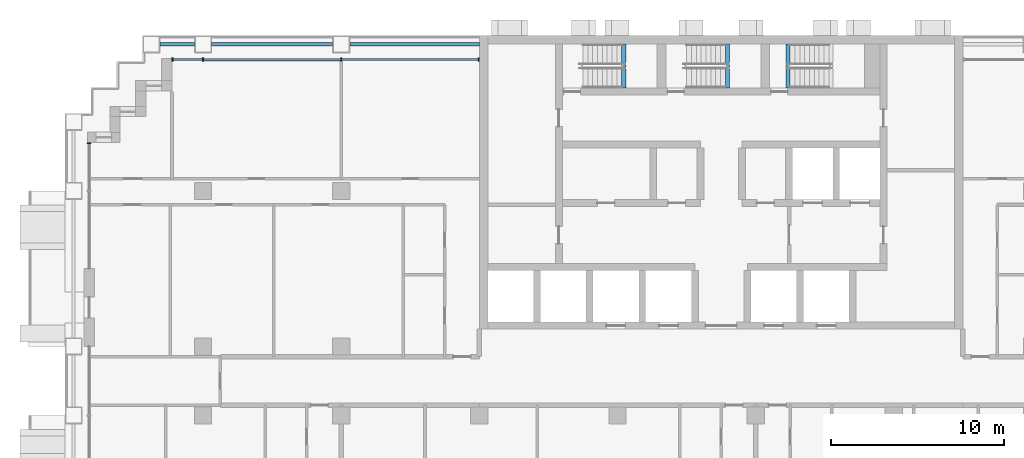
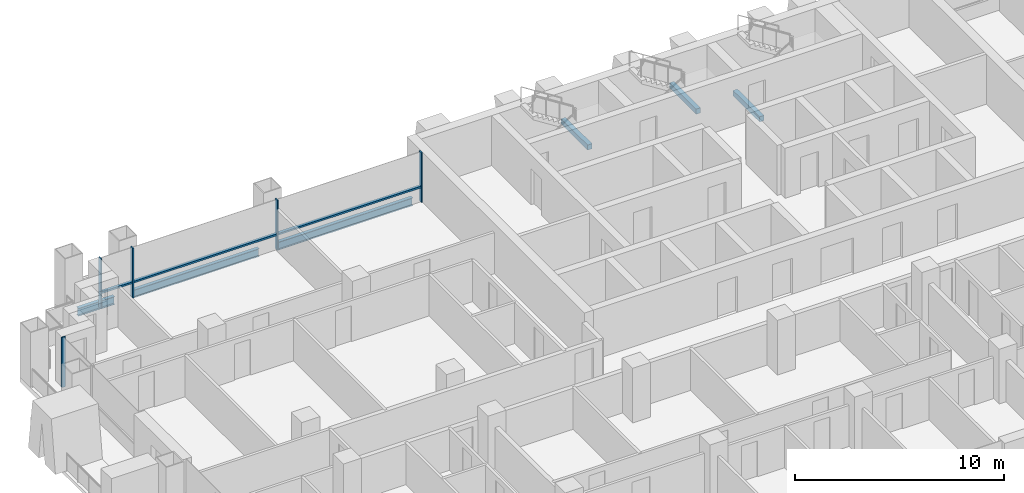
# One storey, part 4 of 18: 8 members, 6 beams, 2 elements without a shape of their own.
"""IFC4 building model written with IfcOpenShell, lengths in metres."""

from ifc_helpers import new_model, si_unit, direction, frame, origin, origin_2d, place, context, subcontext, project, spatial, rectangle, i_section, extrude, material, material_profile, profile_set, type_object, element, aggregate, save


model = new_model("IFC4")

# Units and contexts
model_context = context("Model", 3, precision=1e-05, world=origin(), true_north=direction((0.0, 1.0)))
body_context = subcontext(model_context, "Body", "Model", "MODEL_VIEW")
ifc_project = project(units=[si_unit("LENGTHUNIT", "METRE"), si_unit("AREAUNIT", "SQUARE_METRE"), si_unit("VOLUMEUNIT", "CUBIC_METRE"), si_unit("PLANEANGLEUNIT", "RADIAN"), si_unit("MASSUNIT", "GRAM", prefix="KILO")], contexts=[model_context])

# Site, building, storey
site_placement = place(None, origin())
site = spatial("IfcSite", under=ifc_project, at=site_placement, CompositionType="ELEMENT")
building_placement = place(site_placement, origin())
building = spatial("IfcBuilding", under=site, at=building_placement, Name="Vidyagriha Tower", CompositionType="ELEMENT")
storey_placement = place(building_placement, frame((0.0, 0.0, 48.0)))
storey = spatial("IfcBuildingStorey", under=building, at=storey_placement, Name="L12", CompositionType="ELEMENT", Elevation=48.0)

# Beams
ifc_material_1 = material(Name="Steel ASTM A992 Grade 50", Category="steel")
ifc_material_profile_1 = material_profile(ifc_material_1, i_section(OverallWidth=0.19189453125, OverallDepth=0.46240234375, WebThickness=0.010498046875, FlangeThickness=0.017578125, at=origin_2d()), Name="W18X60")
ifc_profile_set_1 = profile_set([ifc_material_profile_1], Name="Steel ASTM A992 Grade 50")
beam_type_1 = type_object("IfcBeamType", Name="Edge beam W18X60", PredefinedType="SPANDREL", material=ifc_profile_set_1)
beam_1_placement = place(storey_placement, frame((-32.5, 19.5, -0.51123046875), z_axis=(1.0, 0.0, 0.0), x_axis=(0.0, 1.0, 0.0)))
element("IfcBeam", 1, at=beam_1_placement, inside=storey, type_object=beam_type_1, Name="st-beam-L12-NW20", PredefinedType="SPANDREL", context=body_context, shape_type="SweptSolid", body=[
    extrude(i_section(OverallWidth=0.19189453125, OverallDepth=0.46240234375, WebThickness=0.010498046875, FlangeThickness=0.017578125, at=origin_2d()), origin(), (0.0, 0.0, 1.0), 2.0),
])
beam_2_placement = place(storey_placement, frame((-29.5, 19.5, -0.51123046875), z_axis=(1.0, 0.0, 0.0), x_axis=(0.0, 1.0, 0.0)))
element("IfcBeam", 2, at=beam_2_placement, inside=storey, type_object=beam_type_1, Name="st-beam-L12-NW21", PredefinedType="SPANDREL", context=body_context, shape_type="SweptSolid", body=[
    extrude(i_section(OverallWidth=0.19189453125, OverallDepth=0.46240234375, WebThickness=0.010498046875, FlangeThickness=0.017578125, at=origin_2d()), origin(), (0.0, 0.0, 1.0), 7.0),
])
beam_3_placement = place(storey_placement, frame((-21.5, 19.5, -0.51123046875), z_axis=(1.0, 0.0, 0.0), x_axis=(0.0, 1.0, 0.0)))
element("IfcBeam", 3, at=beam_3_placement, inside=storey, type_object=beam_type_1, Name="st-beam-L12-NC24", PredefinedType="SPANDREL", context=body_context, shape_type="SweptSolid", body=[
    extrude(i_section(OverallWidth=0.19189453125, OverallDepth=0.46240234375, WebThickness=0.010498046875, FlangeThickness=0.017578125, at=origin_2d()), origin(), (0.0, 0.0, 1.0), 7.5),
])

# Curtain wall, members
ifc_material_2 = material(Name="Aluminium and glass curtain wall", Category="aluminium")
curtain_wall_type = type_object("IfcCurtainWallType", Name="Dwelling skin unitised curtain wall", PredefinedType="USERDEFINED", material=ifc_material_2)
curtain_wall_1_placement = place(storey_placement, origin())
curtain_wall_1 = element("IfcCurtainWall", 4, at=curtain_wall_1_placement, inside=storey, type_object=curtain_wall_type, Name="CW1 dwelling skin", ObjectType="UNITISED", PredefinedType="USERDEFINED")
ifc_material_3 = material(Name="Aluminium black anodised", Category="aluminium")
ifc_material_profile_2 = material_profile(ifc_material_3, rectangle(XDim=0.199951171875, YDim=0.070068359375, at=origin_2d()), Name="Mullion 70x200 black aluminium")
ifc_profile_set_2 = profile_set([ifc_material_profile_2], Name="Aluminium black anodised")
member_type_1 = type_object("IfcMemberType", Name="Mullion 70x200 black aluminium", PredefinedType="MULLION", material=ifc_profile_set_2)
member_1_placement = place(storey_placement, frame((-14.034912109375, 18.60009765625, 0.0), z_axis=(0.0, 0.0, 1.0), x_axis=(0.0, -1.0, 0.0)))
member_1 = element("IfcMember", 5, at=member_1_placement, type_object=member_type_1, Name="CW1 mullion 1", PredefinedType="MULLION", context=body_context, shape_type="SweptSolid", body=[
    extrude(rectangle(XDim=0.199951171875, YDim=0.070068359375, at=origin_2d()), origin(), (0.0, 0.0, 1.0), 2.919921875),
])
member_2_placement = place(storey_placement, frame((-22.0, 18.60009765625, 0.0), z_axis=(0.0, 0.0, 1.0), x_axis=(0.0, -1.0, 0.0)))
member_2 = element("IfcMember", 6, at=member_2_placement, type_object=member_type_1, Name="CW1 mullion 2", PredefinedType="MULLION", context=body_context, shape_type="SweptSolid", body=[
    extrude(rectangle(XDim=0.199951171875, YDim=0.070068359375, at=origin_2d()), origin(), (0.0, 0.0, 1.0), 2.919921875),
])
member_3_placement = place(storey_placement, frame((-30.0, 18.60009765625, 0.0), z_axis=(0.0, 0.0, 1.0), x_axis=(0.0, -1.0, 0.0)))
member_3 = element("IfcMember", 7, at=member_3_placement, type_object=member_type_1, Name="CW1 mullion 3", PredefinedType="MULLION", context=body_context, shape_type="SweptSolid", body=[
    extrude(rectangle(XDim=0.199951171875, YDim=0.070068359375, at=origin_2d()), origin(), (0.0, 0.0, 1.0), 2.919921875),
])
member_4_placement = place(storey_placement, frame((-31.764892578125, 18.60009765625, 0.0), z_axis=(0.0, 0.0, 1.0), x_axis=(0.0, -1.0, 0.0)))
member_4 = element("IfcMember", 8, at=member_4_placement, type_object=member_type_1, Name="CW1 mullion 4", PredefinedType="MULLION", context=body_context, shape_type="SweptSolid", body=[
    extrude(rectangle(XDim=0.199951171875, YDim=0.070068359375, at=origin_2d()), origin(), (0.0, 0.0, 1.0), 2.919921875),
])

# Curtain wall, member
curtain_wall_2_placement = place(storey_placement, origin())
curtain_wall_2 = element("IfcCurtainWall", 9, at=curtain_wall_2_placement, inside=storey, type_object=curtain_wall_type, Name="CW1 dwelling skin", ObjectType="UNITISED", PredefinedType="USERDEFINED")
member_5_placement = place(storey_placement, frame((-36.60009765625, 13.764892578125, 0.0)))
member_5 = element("IfcMember", 10, at=member_5_placement, type_object=member_type_1, Name="CW1 mullion 1", PredefinedType="MULLION", context=body_context, shape_type="SweptSolid", body=[
    extrude(rectangle(XDim=0.199951171875, YDim=0.070068359375, at=origin_2d()), origin(), (0.0, 0.0, 1.0), 2.919921875),
])
aggregate(curtain_wall_2, [member_5])

# Beams
ifc_material_4 = material(Name="Concrete C40/50", Category="concrete")
ifc_material_profile_3 = material_profile(ifc_material_4, rectangle(XDim=0.25, YDim=0.300048828125, at=origin_2d()), Name="Stair landing bearing beam 250x300")
ifc_profile_set_3 = profile_set([ifc_material_profile_3], Name="Concrete C40/50")
beam_type_2 = type_object("IfcBeamType", Name="Stair landing bearing beam 250x300", PredefinedType="BEAM", material=ifc_profile_set_3)
for number, where, z_axis, x_axis, name in (
    (11, (3.875, 16.949951171875, -0.429931640625), (0.0, 1.0, 0.0), (-1.0, 0.0, 0.0), "ST3 floor landing bearing beam L12"),
    (12, (-5.635009765625, 16.949951171875, 1.25), (0.0, 1.0, 0.0), (-1.0, 0.0, 0.0), "ST1 landing bearing beam L12"),
    (13, (0.364990234375, 16.949951171875, 1.25), (0.0, 1.0, 0.0), (-1.0, 0.0, 0.0), "ST2 landing bearing beam L12"),
):
    element("IfcBeam", number, at=place(storey_placement, frame(where, z_axis=z_axis, x_axis=x_axis)), inside=storey, type_object=beam_type_2, Name=name, PredefinedType="BEAM", context=body_context, shape_type="SweptSolid", body=[
        extrude(rectangle(XDim=0.25, YDim=0.300048828125, at=origin_2d()), origin(), (0.0, 0.0, 1.0), 2.550048828125),
    ])

# Member
ifc_material_5 = material(Name="Aluminium black anodised", Category="aluminium")
ifc_material_profile_4 = material_profile(ifc_material_5, rectangle(XDim=0.159912109375, YDim=0.10009765625, at=origin_2d()), Name="Transom 100x160 black aluminium")
ifc_profile_set_4 = profile_set([ifc_material_profile_4], Name="Aluminium black anodised")
member_type_2 = type_object("IfcMemberType", Name="Transom 100x160 black aluminium", PredefinedType="USERDEFINED", material=ifc_profile_set_4)
member_6_placement = place(storey_placement, frame((-14.070068359375, 18.60009765625, 0.89990234375), z_axis=(-1.0, 0.0, 0.0), x_axis=(0.0, -1.0, 0.0)))
member_6 = element("IfcMember", 14, at=member_6_placement, type_object=member_type_2, Name="CW1 transom 1.1", ObjectType="TRANSOM", PredefinedType="USERDEFINED", context=body_context, shape_type="SweptSolid", body=[
    extrude(rectangle(XDim=0.159912109375, YDim=0.10009765625, at=origin_2d()), origin(), (0.0, 0.0, 1.0), 7.89501953125),
])

member_7_placement = place(storey_placement, frame((-22.034912109375, 18.60009765625, 0.89990234375), z_axis=(-1.0, 0.0, 0.0), x_axis=(0.0, -1.0, 0.0)))
member_7 = element("IfcMember", 15, at=member_7_placement, type_object=member_type_2, Name="CW1 transom 2.1", ObjectType="TRANSOM", PredefinedType="USERDEFINED", context=body_context, shape_type="SweptSolid", body=[
    extrude(rectangle(XDim=0.159912109375, YDim=0.10009765625, at=origin_2d()), origin(), (0.0, 0.0, 1.0), 7.93017578125),
])

member_8_placement = place(storey_placement, frame((-30.034912109375, 18.60009765625, 0.89990234375), z_axis=(-1.0, 0.0, 0.0), x_axis=(0.0, -1.0, 0.0)))
member_8 = element("IfcMember", 16, at=member_8_placement, type_object=member_type_2, Name="CW1 transom 3.1", ObjectType="TRANSOM", PredefinedType="USERDEFINED", context=body_context, shape_type="SweptSolid", body=[
    extrude(rectangle(XDim=0.159912109375, YDim=0.10009765625, at=origin_2d()), origin(), (0.0, 0.0, 1.0), 1.695068359375),
])

aggregate(curtain_wall_1, [member_1, member_2, member_3, member_4, member_6, member_7, member_8])

save(model, "model.ifc")
